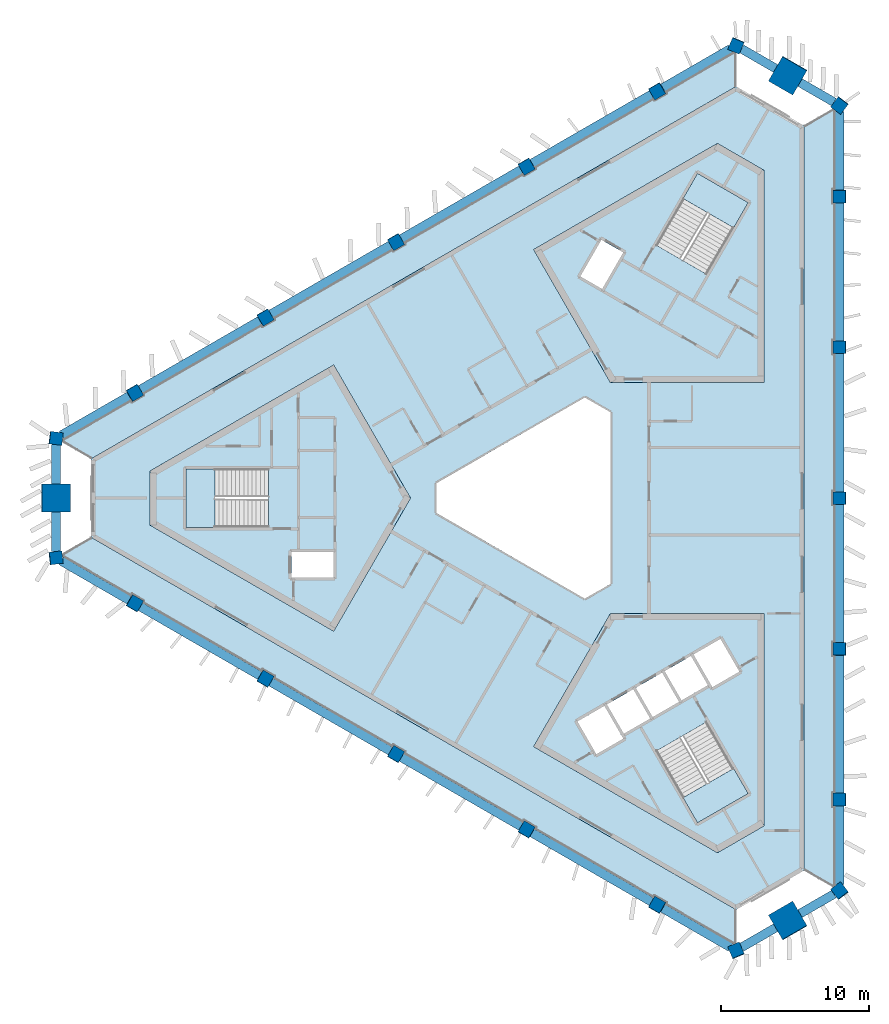
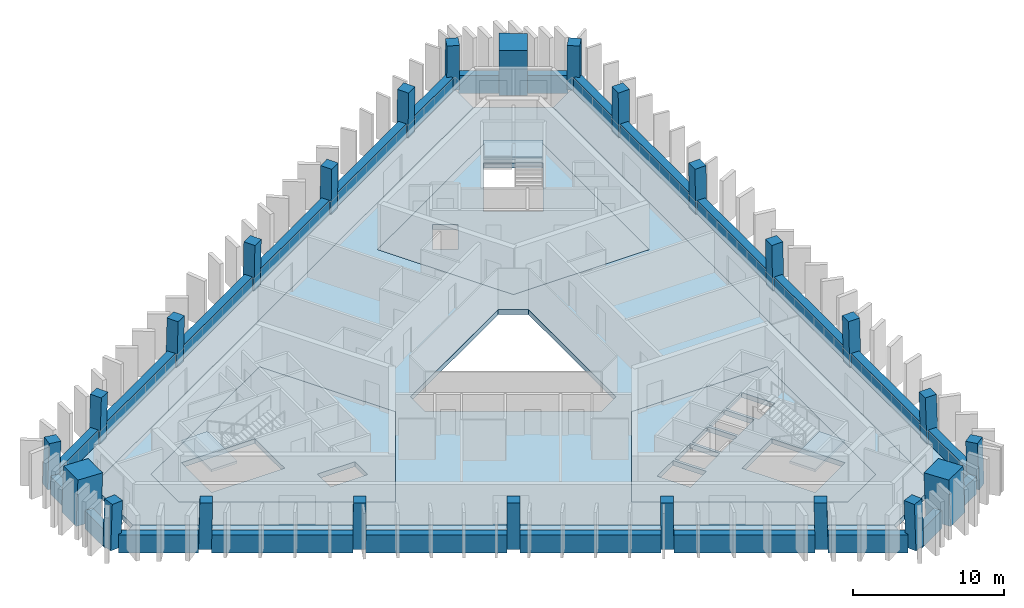
# One storey, part 1 of 9: 24 beams, 24 columns, 10 slabs, 3 elements without a shape of their own.
"""IFC4 building model written with IfcOpenShell, lengths in metres."""

from ifc_helpers import new_model, si_unit, direction, frame, origin, origin_2d, place, context, subcontext, project, spatial, polyline, rectangle, outline, extrude, material, layer, layer_set, material_profile, profile_set, type_object, element, aggregate, save


model = new_model("IFC4")

# Units and contexts
model_context = context("Model", 3, precision=1e-05, world=origin(), true_north=direction((0.0, 1.0)))
body_context = subcontext(model_context, "Body", "Model", "MODEL_VIEW")
ifc_project = project(units=[si_unit("LENGTHUNIT", "METRE"), si_unit("AREAUNIT", "SQUARE_METRE"), si_unit("VOLUMEUNIT", "CUBIC_METRE"), si_unit("PLANEANGLEUNIT", "RADIAN"), si_unit("MASSUNIT", "GRAM", prefix="KILO")], contexts=[model_context])

# Site, building, storey
site_placement = place(None, origin())
site = spatial("IfcSite", under=ifc_project, at=site_placement, CompositionType="ELEMENT")
building_placement = place(site_placement, origin())
building = spatial("IfcBuilding", under=site, at=building_placement, Name="Jabali Bay Hotel Tower and Convention Centre", CompositionType="ELEMENT")
storey_placement = place(building_placement, frame((0.0, 0.0, 231.699951171875)))
storey = spatial("IfcBuildingStorey", under=building, at=storey_placement, Name="L57", CompositionType="ELEMENT", Elevation=231.699951171875)

# Columns
ifc_material_1 = material(Name="Concrete C60", Category="concrete")
ifc_material_profile_1 = material_profile(ifc_material_1, rectangle(XDim=0.85009765625, YDim=0.85009765625, at=origin_2d()), Name="Frame column 850")
ifc_profile_set_1 = profile_set([ifc_material_profile_1], Name="Concrete C60")
column_type_1 = type_object("IfcColumnType", Name="Frame column 850", PredefinedType="COLUMN", material=ifc_profile_set_1)
column_1_placement = place(storey_placement, frame((82.658935546875, 107.490234375, 0.0), z_axis=(-0.00837646992, -0.028097450282, 0.999570091609), x_axis=(0.866174253108, 0.499288249334, 0.021293363534)))
element("IfcColumn", 1, at=column_1_placement, inside=storey, type_object=column_type_1, Name="FC5 F1.1 L57", PredefinedType="COLUMN", context=body_context, shape_type="SweptSolid", body=[
    extrude(rectangle(XDim=0.85009765625, YDim=0.85009765625, at=origin_2d()), origin(), (0.0, 0.0, 1.0), 3.70166015625),
])
column_2_placement = place(storey_placement, frame((73.8349609375, 102.395751953125, 0.0), z_axis=(0.000857580205, -0.022758859284, 0.9997406158), x_axis=(0.866005604684, 0.499921125252, 0.010637724537)))
element("IfcColumn", 2, at=column_2_placement, inside=storey, type_object=column_type_1, Name="FC5 F1.2 L57", PredefinedType="COLUMN", context=body_context, shape_type="SweptSolid", body=[
    extrude(rectangle(XDim=0.85009765625, YDim=0.85009765625, at=origin_2d()), origin(), (0.0, 0.0, 1.0), 3.700927734375),
])
column_3_placement = place(storey_placement, frame((65.010986328125, 97.30126953125, 0.0), z_axis=(0.010093620709, -0.017482414954, 0.999796221231), x_axis=(0.86601685016, 0.500014815019, 2.20911e-07)))
element("IfcColumn", 3, at=column_3_placement, inside=storey, type_object=column_type_1, Name="FC5 F1.3 L57", PredefinedType="COLUMN", context=body_context, shape_type="SweptSolid", body=[
    extrude(rectangle(XDim=0.85009765625, YDim=0.85009765625, at=origin_2d()), origin(), (0.0, 0.0, 1.0), 3.70068359375),
])
column_4_placement = place(storey_placement, frame((56.187255859375, 92.206787109375, 0.0), z_axis=(0.019262573858, -0.012138060239, 0.999740776773), x_axis=(-0.498875311913, 0.866439920689, 0.020131741108)))
element("IfcColumn", 4, at=column_4_placement, inside=storey, type_object=column_type_1, Name="FC5 F1.4 L57", PredefinedType="COLUMN", context=body_context, shape_type="SweptSolid", body=[
    extrude(rectangle(XDim=0.85009765625, YDim=0.85009765625, at=origin_2d()), origin(), (0.0, 0.0, 1.0), 3.700927734375),
])
for number, where, z_axis, x_axis, name in (
    (5, (47.36328125, 87.1123046875, 0.0), (0.02855911485, -0.006793507689, 0.999569019734), (-0.50039805324, 0.86556025987, 0.020179812855), "FC5 F1.5 L57"),
    (6, (47.36328125, 72.8876953125, 0.0), (0.02855911485, 0.006793507689, 0.999569019734), (-0.865324312193, 0.500758709147, 0.021320176848), "FC5 F2.1 L57"),
):
    element("IfcColumn", number, at=place(storey_placement, frame(where, z_axis=z_axis, x_axis=x_axis)), inside=storey, type_object=column_type_1, Name=name, PredefinedType="COLUMN", context=body_context, shape_type="SweptSolid", body=[
        extrude(rectangle(XDim=0.85009765625, YDim=0.85009765625, at=origin_2d()), origin(), (0.0, 0.0, 1.0), 3.70166015625),
    ])
column_5_placement = place(storey_placement, frame((56.187255859375, 67.793212890625, 0.0), z_axis=(0.019262573858, 0.012138060239, 0.999740776773), x_axis=(-0.866459679623, 0.499133780995, 0.010634484378)))
element("IfcColumn", 7, at=column_5_placement, inside=storey, type_object=column_type_1, Name="FC5 F2.2 L57", PredefinedType="COLUMN", context=body_context, shape_type="SweptSolid", body=[
    extrude(rectangle(XDim=0.85009765625, YDim=0.85009765625, at=origin_2d()), origin(), (0.0, 0.0, 1.0), 3.700927734375),
])
column_6_placement = place(storey_placement, frame((65.010986328125, 62.69873046875, 0.0), z_axis=(0.010093620709, 0.017482414954, 0.999796221231), x_axis=(-0.499912926478, -0.865840372083, 0.020187025823)))
element("IfcColumn", 8, at=column_6_placement, inside=storey, type_object=column_type_1, Name="FC5 F2.3 L57", PredefinedType="COLUMN", context=body_context, shape_type="SweptSolid", body=[
    extrude(rectangle(XDim=0.85009765625, YDim=0.85009765625, at=origin_2d()), origin(), (0.0, 0.0, 1.0), 3.70068359375),
])
column_7_placement = place(storey_placement, frame((73.8349609375, 57.604248046875, 0.0), z_axis=(0.000857580205, 0.022758859284, 0.9997406158), x_axis=(-0.500033556087, -0.865771853811, 0.020138022157)))
element("IfcColumn", 9, at=column_7_placement, inside=storey, type_object=column_type_1, Name="FC5 F2.4 L57", PredefinedType="COLUMN", context=body_context, shape_type="SweptSolid", body=[
    extrude(rectangle(XDim=0.85009765625, YDim=0.85009765625, at=origin_2d()), origin(), (0.0, 0.0, 1.0), 3.700927734375),
])
for number, where, z_axis, x_axis, name in (
    (10, (82.658935546875, 52.509765625, 0.0), (-0.00837646992, 0.028097450282, 0.999570091609), (-0.499671890349, -0.865980240747, 0.02015501501), "FC5 F2.5 L57"),
    (11, (94.977783203125, 59.6220703125, 0.0), (-0.020182659751, 0.021303918626, 0.999569308901), (0.000228267203, -0.99977282903, 0.021312865295), "FC5 F0.1 L57"),
):
    element("IfcColumn", number, at=place(storey_placement, frame(where, z_axis=z_axis, x_axis=x_axis)), inside=storey, type_object=column_type_1, Name=name, PredefinedType="COLUMN", context=body_context, shape_type="SweptSolid", body=[
        extrude(rectangle(XDim=0.85009765625, YDim=0.85009765625, at=origin_2d()), origin(), (0.0, 0.0, 1.0), 3.70166015625),
    ])
column_8_placement = place(storey_placement, frame((94.977783203125, 69.81103515625, 0.0), z_axis=(-0.020186088539, 0.010686752756, 0.999739123544), x_axis=(-0.001012906877, -0.999942577175, 0.010668475618)))
element("IfcColumn", 12, at=column_8_placement, inside=storey, type_object=column_type_1, Name="FC5 F0.2 L57", PredefinedType="COLUMN", context=body_context, shape_type="SweptSolid", body=[
    extrude(rectangle(XDim=0.85009765625, YDim=0.85009765625, at=origin_2d()), origin(), (0.0, 0.0, 1.0), 3.700927734375),
])
column_9_placement = place(storey_placement, frame((94.977783203125, 80.0, 0.0), z_axis=(-0.020187241331, 0.0, 0.99979621688), x_axis=(0.0, -1.0, 0.0)))
element("IfcColumn", 13, at=column_9_placement, inside=storey, type_object=column_type_1, Name="FC5 F0.3 L57", PredefinedType="COLUMN", context=body_context, shape_type="SweptSolid", body=[
    extrude(rectangle(XDim=0.85009765625, YDim=0.85009765625, at=origin_2d()), origin(), (0.0, 0.0, 1.0), 3.70068359375),
])
column_10_placement = place(storey_placement, frame((94.977783203125, 90.18896484375, 0.0), z_axis=(-0.020186088539, -0.010686752756, 0.999739123544), x_axis=(0.999795727061, 0.00079728784, 0.020195754082)))
element("IfcColumn", 14, at=column_10_placement, inside=storey, type_object=column_type_1, Name="FC5 F0.4 L57", PredefinedType="COLUMN", context=body_context, shape_type="SweptSolid", body=[
    extrude(rectangle(XDim=0.85009765625, YDim=0.85009765625, at=origin_2d()), origin(), (0.0, 0.0, 1.0), 3.700927734375),
])
column_11_placement = place(storey_placement, frame((94.977783203125, 100.3779296875, 0.0), z_axis=(-0.020182659751, -0.021303918626, 0.999569308901), x_axis=(0.999796283319, -0.000658319199, 0.020173211851)))
element("IfcColumn", 15, at=column_11_placement, inside=storey, type_object=column_type_1, Name="FC5 F0.5 L57", PredefinedType="COLUMN", context=body_context, shape_type="SweptSolid", body=[
    extrude(rectangle(XDim=0.85009765625, YDim=0.85009765625, at=origin_2d()), origin(), (0.0, 0.0, 1.0), 3.70166015625),
])
for number, where, z_axis, x_axis, name in (
    (16, (94.977783203125, 53.46875, 0.0), (-0.020178741915, 0.029015184452, 0.999375273581), (-0.798955782789, -0.601388304482, 0.001328299864), "FC5 V0 L57"),
    (17, (94.977783203125, 106.53125, 0.0), (-0.020178741915, -0.029015184452, 0.999375273581), (0.601051142186, 0.798429850584, 0.035317108794), "FC5 V1 L57"),
    (18, (87.98779296875, 110.56689453125, 0.0), (-0.015035141917, -0.031982648376, 0.99937533225), (0.920325100709, -0.391152074651, 0.001327968773), "FC5 V2 L57"),
    (19, (42.034423828125, 84.03564453125, 0.0), (0.03521388716, -0.002967462401, 0.999375393092), (-0.991986347895, 0.121309627648, 0.03531373428), "FC5 V3 L57"),
    (20, (42.034423828125, 75.96435546875, 0.0), (0.03521388716, 0.002967462401, 0.999375393092), (-0.121338648996, 0.992610280224, 0.00132810135), "FC5 V4 L57"),
    (21, (87.98779296875, 49.43310546875, 0.0), (-0.015035141917, 0.031982648376, 0.99937533225), (0.390865262607, -0.919770169498, 0.035315461041), "FC5 V5 L57"),
):
    element("IfcColumn", number, at=place(storey_placement, frame(where, z_axis=z_axis, x_axis=x_axis)), inside=storey, type_object=column_type_1, Name=name, PredefinedType="COLUMN", context=body_context, shape_type="SweptSolid", body=[
        extrude(rectangle(XDim=0.85009765625, YDim=0.85009765625, at=origin_2d()), origin(), (0.0, 0.0, 1.0), 3.7021484375),
    ])
ifc_material_2 = material(Name="Concrete C70", Category="concrete")
ifc_material_profile_2 = material_profile(ifc_material_2, rectangle(XDim=1.89990234375, YDim=1.89990234375, at=origin_2d()), Name="Mega column 1900")
ifc_profile_set_2 = profile_set([ifc_material_profile_2], Name="Concrete C70")
column_type_2 = type_object("IfcColumnType", Name="Mega column 1900", PredefinedType="COLUMN", material=ifc_profile_set_2)
for number, where, z_axis, x_axis, name in (
    (22, (91.48291015625, 108.549072265625, 0.0), (-0.017607037296, -0.030466109479, 0.999380712447), (0.500067085975, 0.865271470658, 0.035187946645), "MC5 M1 L57"),
    (23, (42.034423828125, 80.0, 0.0), (0.035214042205, 0.0, 0.999379793288), (0.0, 1.0, 0.0), "MC5 M0 L57"),
    (24, (91.48291015625, 51.450927734375, 0.0), (-0.017607037296, 0.030466109479, 0.999380712447), (-0.865807658641, -0.500376956142, 2.31533e-07), "MC5 M2 L57"),
):
    element("IfcColumn", number, at=place(storey_placement, frame(where, z_axis=z_axis, x_axis=x_axis)), inside=storey, type_object=column_type_2, Name=name, PredefinedType="COLUMN", context=body_context, shape_type="SweptSolid", body=[
        extrude(rectangle(XDim=1.89990234375, YDim=1.89990234375, at=origin_2d()), origin(), (0.0, 0.0, 1.0), 3.7021484375),
    ])

# Beams
ifc_material_profile_3 = material_profile(ifc_material_1, rectangle(XDim=0.60009765625, YDim=1.449951171875, at=origin_2d()), Name="Spandrel 600x1450")
ifc_profile_set_3 = profile_set([ifc_material_profile_3], Name="Concrete C60")
beam_type = type_object("IfcBeamType", Name="Spandrel 600x1450", PredefinedType="SPANDREL", material=ifc_profile_set_3)
beam_1_placement = place(storey_placement, frame((90.653564453125, 109.0126953125, 0.375), z_axis=(-0.866037319036, 0.49997936161, 0.0), x_axis=(-0.49997936161, -0.866037319036, 0.0)))
element("IfcBeam", 25, at=beam_1_placement, inside=storey, type_object=beam_type, Name="Spandrel M1-V2 L57", PredefinedType="SPANDREL", context=body_context, shape_type="SweptSolid", body=[
    extrude(rectangle(XDim=0.60009765625, YDim=1.449951171875, at=origin_2d()), origin(), (0.0, 0.0, 1.0), 2.65966796875),
])
beam_2_placement = place(storey_placement, frame((87.614013671875, 110.342529296875, 0.375), z_axis=(-0.866020664882, -0.50000820793, 0.0), x_axis=(0.50000820793, -0.866020664882, 0.0)))
element("IfcBeam", 26, at=beam_2_placement, inside=storey, type_object=beam_type, Name="Spandrel V2-F1.1 L57", PredefinedType="SPANDREL", context=body_context, shape_type="SweptSolid", body=[
    extrude(rectangle(XDim=0.60009765625, YDim=1.449951171875, at=origin_2d()), origin(), (0.0, 0.0, 1.0), 5.30029296875),
])
beam_3_placement = place(storey_placement, frame((82.28759765625, 107.267333984375, 0.375), z_axis=(-0.866023132736, -0.50000393355, 0.0), x_axis=(0.50000393355, -0.866023132736, 0.0)))
element("IfcBeam", 27, at=beam_3_placement, inside=storey, type_object=beam_type, Name="Spandrel F1.1-F1.2 L57", PredefinedType="SPANDREL", context=body_context, shape_type="SweptSolid", body=[
    extrude(rectangle(XDim=0.60009765625, YDim=1.449951171875, at=origin_2d()), origin(), (0.0, 0.0, 1.0), 9.3349609375),
])
beam_4_placement = place(storey_placement, frame((73.46728515625, 102.1748046875, 0.375), z_axis=(-0.866029671009, -0.499992608877, 0.0), x_axis=(0.499992608877, -0.866029671009, 0.0)))
element("IfcBeam", 28, at=beam_4_placement, inside=storey, type_object=beam_type, Name="Spandrel F1.2-F1.3 L57", PredefinedType="SPANDREL", context=body_context, shape_type="SweptSolid", body=[
    extrude(rectangle(XDim=0.60009765625, YDim=1.449951171875, at=origin_2d()), origin(), (0.0, 0.0, 1.0), 9.335205078125),
])
beam_5_placement = place(storey_placement, frame((64.646728515625, 97.082275390625, 0.375), z_axis=(-0.866023132736, -0.50000393355, 0.0), x_axis=(0.50000393355, -0.866023132736, 0.0)))
element("IfcBeam", 29, at=beam_5_placement, inside=storey, type_object=beam_type, Name="Spandrel F1.3-F1.4 L57", PredefinedType="SPANDREL", context=body_context, shape_type="SweptSolid", body=[
    extrude(rectangle(XDim=0.60009765625, YDim=1.449951171875, at=origin_2d()), origin(), (0.0, 0.0, 1.0), 9.3349609375),
])
beam_6_placement = place(storey_placement, frame((55.826416015625, 91.98974609375, 0.375), z_axis=(-0.866029671009, -0.499992608877, 0.0), x_axis=(0.499992608877, -0.866029671009, 0.0)))
element("IfcBeam", 30, at=beam_6_placement, inside=storey, type_object=beam_type, Name="Spandrel F1.4-F1.5 L57", PredefinedType="SPANDREL", context=body_context, shape_type="SweptSolid", body=[
    extrude(rectangle(XDim=0.60009765625, YDim=1.449951171875, at=origin_2d()), origin(), (0.0, 0.0, 1.0), 9.335205078125),
])
beam_7_placement = place(storey_placement, frame((47.005859375, 86.897216796875, 0.375), z_axis=(-0.866032180191, -0.499988262736, 0.0), x_axis=(0.499988262736, -0.866032180191, 0.0)))
element("IfcBeam", 31, at=beam_7_placement, inside=storey, type_object=beam_type, Name="Spandrel F1.5-V3 L57", PredefinedType="SPANDREL", context=body_context, shape_type="SweptSolid", body=[
    extrude(rectangle(XDim=0.60009765625, YDim=1.449951171875, at=origin_2d()), origin(), (0.0, 0.0, 1.0), 5.300537109375),
])
for number, where, z_axis, x_axis, name in (
    (32, (42.047607421875, 83.609619140625, 0.375), (0.0, -1.0, 0.0), (1.0, 0.0, 0.0), "Spandrel V3-M0 L57"),
    (33, (42.047607421875, 79.050048828125, 0.375), (0.0, -1.0, 0.0), (1.0, 0.0, 0.0), "Spandrel M0-V4 L57"),
):
    element("IfcBeam", number, at=place(storey_placement, frame(where, z_axis=z_axis, x_axis=x_axis)), inside=storey, type_object=beam_type, Name=name, PredefinedType="SPANDREL", context=body_context, shape_type="SweptSolid", body=[
        extrude(rectangle(XDim=0.60009765625, YDim=1.449951171875, at=origin_2d()), origin(), (0.0, 0.0, 1.0), 2.65966796875),
    ])
beam_8_placement = place(storey_placement, frame((42.41552734375, 75.7529296875, 0.375), z_axis=(0.866032180191, -0.499988262736, 0.0), x_axis=(0.499988262736, 0.866032180191, 0.0)))
element("IfcBeam", 34, at=beam_8_placement, inside=storey, type_object=beam_type, Name="Spandrel V4-F2.1 L57", PredefinedType="SPANDREL", context=body_context, shape_type="SweptSolid", body=[
    extrude(rectangle(XDim=0.60009765625, YDim=1.449951171875, at=origin_2d()), origin(), (0.0, 0.0, 1.0), 5.300537109375),
])
beam_9_placement = place(storey_placement, frame((47.741943359375, 72.677734375, 0.375), z_axis=(0.866029671009, -0.499992608877, 0.0), x_axis=(0.499992608877, 0.866029671009, 0.0)))
element("IfcBeam", 35, at=beam_9_placement, inside=storey, type_object=beam_type, Name="Spandrel F2.1-F2.2 L57", PredefinedType="SPANDREL", context=body_context, shape_type="SweptSolid", body=[
    extrude(rectangle(XDim=0.60009765625, YDim=1.449951171875, at=origin_2d()), origin(), (0.0, 0.0, 1.0), 9.335205078125),
])
beam_10_placement = place(storey_placement, frame((56.5625, 67.585205078125, 0.375), z_axis=(0.866023132736, -0.50000393355, 0.0), x_axis=(0.50000393355, 0.866023132736, 0.0)))
element("IfcBeam", 36, at=beam_10_placement, inside=storey, type_object=beam_type, Name="Spandrel F2.2-F2.3 L57", PredefinedType="SPANDREL", context=body_context, shape_type="SweptSolid", body=[
    extrude(rectangle(XDim=0.60009765625, YDim=1.449951171875, at=origin_2d()), origin(), (0.0, 0.0, 1.0), 9.3349609375),
])
beam_11_placement = place(storey_placement, frame((65.3828125, 62.49267578125, 0.375), z_axis=(0.866029671009, -0.499992608877, 0.0), x_axis=(0.499992608877, 0.866029671009, 0.0)))
element("IfcBeam", 37, at=beam_11_placement, inside=storey, type_object=beam_type, Name="Spandrel F2.3-F2.4 L57", PredefinedType="SPANDREL", context=body_context, shape_type="SweptSolid", body=[
    extrude(rectangle(XDim=0.60009765625, YDim=1.449951171875, at=origin_2d()), origin(), (0.0, 0.0, 1.0), 9.335205078125),
])
beam_12_placement = place(storey_placement, frame((74.203369140625, 57.400146484375, 0.375), z_axis=(0.866023132736, -0.50000393355, 0.0), x_axis=(0.50000393355, 0.866023132736, 0.0)))
element("IfcBeam", 38, at=beam_12_placement, inside=storey, type_object=beam_type, Name="Spandrel F2.4-F2.5 L57", PredefinedType="SPANDREL", context=body_context, shape_type="SweptSolid", body=[
    extrude(rectangle(XDim=0.60009765625, YDim=1.449951171875, at=origin_2d()), origin(), (0.0, 0.0, 1.0), 9.3349609375),
])
beam_13_placement = place(storey_placement, frame((83.02392578125, 52.3076171875, 0.375), z_axis=(0.866020664882, -0.50000820793, 0.0), x_axis=(0.50000820793, 0.866020664882, 0.0)))
element("IfcBeam", 39, at=beam_13_placement, inside=storey, type_object=beam_type, Name="Spandrel F2.5-V5 L57", PredefinedType="SPANDREL", context=body_context, shape_type="SweptSolid", body=[
    extrude(rectangle(XDim=0.60009765625, YDim=1.449951171875, at=origin_2d()), origin(), (0.0, 0.0, 1.0), 5.30029296875),
])
for number, where, z_axis, x_axis, name in (
    (40, (88.35009765625, 49.657470703125, 0.375), (0.866037319036, 0.49997936161, 0.0), (-0.49997936161, 0.866037319036, 0.0), "Spandrel V5-M2 L57"),
    (41, (92.298828125, 51.937255859375, 0.375), (0.866037319036, 0.49997936161, 0.0), (-0.49997936161, 0.866037319036, 0.0), "Spandrel M2-V0 L57"),
):
    element("IfcBeam", number, at=place(storey_placement, frame(where, z_axis=z_axis, x_axis=x_axis)), inside=storey, type_object=beam_type, Name=name, PredefinedType="SPANDREL", context=body_context, shape_type="SweptSolid", body=[
        extrude(rectangle(XDim=0.60009765625, YDim=1.449951171875, at=origin_2d()), origin(), (0.0, 0.0, 1.0), 2.65966796875),
    ])
beam_14_placement = place(storey_placement, frame((94.97021484375, 53.90478515625, 0.375), z_axis=(0.0, 1.0, 0.0), x_axis=(-1.0, 0.0, 0.0)))
element("IfcBeam", 42, at=beam_14_placement, inside=storey, type_object=beam_type, Name="Spandrel V0-F0.1 L57", PredefinedType="SPANDREL", context=body_context, shape_type="SweptSolid", body=[
    extrude(rectangle(XDim=0.60009765625, YDim=1.449951171875, at=origin_2d()), origin(), (0.0, 0.0, 1.0), 5.30029296875),
])
for number, where, z_axis, x_axis, name in (
    (43, (94.97021484375, 60.054931640625, 0.375), (0.0, 1.0, 0.0), (-1.0, 0.0, 0.0), "Spandrel F0.1-F0.2 L57"),
    (44, (94.97021484375, 70.239990234375, 0.375), (0.0, 1.0, 0.0), (-1.0, 0.0, 0.0), "Spandrel F0.2-F0.3 L57"),
    (45, (94.97021484375, 80.425048828125, 0.375), (0.0, 1.0, 0.0), (-1.0, 0.0, 0.0), "Spandrel F0.3-F0.4 L57"),
    (46, (94.97021484375, 90.610107421875, 0.375), (0.0, 1.0, 0.0), (-1.0, 0.0, 0.0), "Spandrel F0.4-F0.5 L57"),
):
    element("IfcBeam", number, at=place(storey_placement, frame(where, z_axis=z_axis, x_axis=x_axis)), inside=storey, type_object=beam_type, Name=name, PredefinedType="SPANDREL", context=body_context, shape_type="SweptSolid", body=[
        extrude(rectangle(XDim=0.60009765625, YDim=1.449951171875, at=origin_2d()), origin(), (0.0, 0.0, 1.0), 9.3349609375),
    ])
beam_15_placement = place(storey_placement, frame((94.97021484375, 100.794921875, 0.375), z_axis=(0.0, 1.0, 0.0), x_axis=(-1.0, 0.0, 0.0)))
element("IfcBeam", 47, at=beam_15_placement, inside=storey, type_object=beam_type, Name="Spandrel F0.5-V1 L57", PredefinedType="SPANDREL", context=body_context, shape_type="SweptSolid", body=[
    extrude(rectangle(XDim=0.60009765625, YDim=1.449951171875, at=origin_2d()), origin(), (0.0, 0.0, 1.0), 5.30029296875),
])
beam_16_placement = place(storey_placement, frame((94.602294921875, 106.73291015625, 0.375), z_axis=(-0.866037319036, 0.49997936161, 0.0), x_axis=(-0.49997936161, -0.866037319036, 0.0)))
element("IfcBeam", 48, at=beam_16_placement, inside=storey, type_object=beam_type, Name="Spandrel V1-M1 L57", PredefinedType="SPANDREL", context=body_context, shape_type="SweptSolid", body=[
    extrude(rectangle(XDim=0.60009765625, YDim=1.449951171875, at=origin_2d()), origin(), (0.0, 0.0, 1.0), 2.65966796875),
])

# Slabs
ifc_material_3 = material(Name="Concrete C40", Category="concrete")
ifc_layer_1 = layer(ifc_material_3, 0.39990234375)
ifc_layer_set_1 = layer_set([ifc_layer_1], Name="Concrete C40")
slab_type_1 = type_object("IfcSlabType", Name="Core floor slab 400", PredefinedType="FLOOR", material=ifc_layer_set_1)
slab_1_placement = place(storey_placement, frame((0.0, 0.0, -0.39990234375)))
element("IfcSlab", 49, at=slab_1_placement, inside=storey, type_object=slab_type_1, Name="Core floor slab 1 L57", PredefinedType="FLOOR", context=body_context, shape_type="SweptSolid", body=[
    extrude(outline(polyline([(66.0, 80.0), (60.81005859375, 88.9892578125), (48.39697265625, 81.82275390625), (48.39697265625, 78.17724609375), (60.81005859375, 71.0107421875), (66.0, 80.0)]), holes=[polyline([(60.800048828125, 76.35009765625), (57.949951171875, 76.35009765625), (57.949951171875, 74.64990234375), (60.800048828125, 74.64990234375), (60.800048828125, 76.35009765625)]), polyline([(50.820068359375, 81.97509765625), (50.820068359375, 78.02490234375), (56.409912109375, 78.02490234375), (56.409912109375, 81.97509765625), (50.820068359375, 81.97509765625)])]), origin(), (0.0, 0.0, 1.0), 0.39990234375),
])
slab_2_placement = place(storey_placement, frame((0.0, 0.0, -0.39990234375)))
element("IfcSlab", 50, at=slab_2_placement, inside=storey, type_object=slab_type_1, Name="Core floor slab 2 L57", PredefinedType="FLOOR", context=body_context, shape_type="SweptSolid", body=[
    extrude(outline(polyline([(79.5, 87.794189453125), (89.8798828125, 87.794189453125), (89.8798828125, 102.127685546875), (86.72314453125, 103.9501953125), (74.31005859375, 96.78369140625), (79.5, 87.794189453125)]), holes=[polyline([(78.93896484375, 94.12255859375), (80.364013671875, 96.5908203125), (78.891845703125, 97.440673828125), (77.466796875, 94.97265625), (78.93896484375, 94.12255859375)]), polyline([(88.80029296875, 99.952880859375), (85.379638671875, 101.927978515625), (82.584716796875, 97.0869140625), (86.00537109375, 95.11181640625), (88.80029296875, 99.952880859375)])]), origin(), (0.0, 0.0, 1.0), 0.39990234375),
])
slab_3_placement = place(storey_placement, frame((0.0, 0.0, -0.39990234375)))
element("IfcSlab", 51, at=slab_3_placement, inside=storey, type_object=slab_type_1, Name="Core floor slab 3 L57", PredefinedType="FLOOR", context=body_context, shape_type="SweptSolid", body=[
    extrude(outline(polyline([(79.5, 72.205810546875), (74.31005859375, 63.21630859375), (86.72314453125, 56.0498046875), (89.8798828125, 57.872314453125), (89.8798828125, 72.205810546875), (79.5, 72.205810546875)]), holes=[polyline([(82.584716796875, 62.9130859375), (85.379638671875, 58.072021484375), (88.80029296875, 60.047119140625), (86.00537109375, 64.88818359375), (82.584716796875, 62.9130859375)]), polyline([(80.365478515625, 63.756591796875), (79.090576171875, 65.96484375), (77.27197265625, 64.9150390625), (78.546875, 62.70654296875), (80.365478515625, 63.756591796875)]), polyline([(82.17919921875, 65.115478515625), (81.0390625, 67.08984375), (79.263671875, 66.06494140625), (80.40380859375, 64.09033203125), (82.17919921875, 65.115478515625)]), polyline([(82.98779296875, 68.21484375), (81.21240234375, 67.18994140625), (82.352294921875, 65.21533203125), (84.127685546875, 66.240478515625), (82.98779296875, 68.21484375)]), polyline([(86.076171875, 67.365478515625), (84.936279296875, 69.33984375), (83.160888671875, 68.31494140625), (84.30078125, 66.34033203125), (86.076171875, 67.365478515625)]), polyline([(88.203125, 68.281494140625), (86.927978515625, 70.489990234375), (85.109375, 69.43994140625), (86.384521484375, 67.231689453125), (88.203125, 68.281494140625)])]), origin(), (0.0, 0.0, 1.0), 0.39990234375),
])
ifc_layer_2 = layer(ifc_material_3, 0.199951171875)
ifc_layer_set_2 = layer_set([ifc_layer_2], Name="Concrete C40")
slab_type_2 = type_object("IfcSlabType", Name="Loggia slab 200", PredefinedType="FLOOR", material=ifc_layer_set_2)
slab_4_placement = place(storey_placement, frame((0.0, 0.0, -0.199951171875)))
element("IfcSlab", 52, at=slab_4_placement, inside=storey, type_object=slab_type_2, Name="Loggia slab east face L57", PredefinedType="FLOOR", context=body_context, shape_type="SweptSolid", body=[
    extrude(outline(polyline([(92.577880859375, 105.1455078125), (94.577880859375, 106.30029296875), (94.677978515625, 106.22509765625), (94.677978515625, 100.802978515625), (94.552978515625, 100.802978515625), (94.552978515625, 99.952880859375), (94.677978515625, 99.952880859375), (94.677978515625, 90.614013671875), (94.552978515625, 90.614013671875), (94.552978515625, 89.763916015625), (94.677978515625, 89.763916015625), (94.677978515625, 80.425048828125), (94.552978515625, 80.425048828125), (94.552978515625, 79.574951171875), (94.677978515625, 79.574951171875), (94.677978515625, 70.236083984375), (94.552978515625, 70.236083984375), (94.552978515625, 69.385986328125), (94.677978515625, 69.385986328125), (94.677978515625, 60.047119140625), (94.552978515625, 60.047119140625), (94.552978515625, 59.197021484375), (94.677978515625, 59.197021484375), (94.677978515625, 53.77490234375), (94.577880859375, 53.69970703125), (92.577880859375, 54.8544921875), (92.577880859375, 105.1455078125)])), origin(), (0.0, 0.0, 1.0), 0.199951171875),
])
slab_5_placement = place(storey_placement, frame((0.0, 0.0, -0.199951171875)))
element("IfcSlab", 53, at=slab_5_placement, inside=storey, type_object=slab_type_2, Name="Loggia slab north-west face L57", PredefinedType="FLOOR", context=body_context, shape_type="SweptSolid", body=[
    extrude(outline(polyline([(44.434326171875, 82.650146484375), (42.434326171875, 83.804931640625), (42.449462890625, 83.928955078125), (47.145263671875, 86.64013671875), (47.207763671875, 86.53173828125), (47.94384765625, 86.956787109375), (47.88134765625, 87.065185546875), (55.968994140625, 91.734619140625), (56.031494140625, 91.626220703125), (56.767578125, 92.05126953125), (56.705078125, 92.15966796875), (64.79296875, 96.8291015625), (64.85546875, 96.720703125), (65.591552734375, 97.145751953125), (65.529052734375, 97.254150390625), (73.616943359375, 101.923583984375), (73.679443359375, 101.815185546875), (74.41552734375, 102.240234375), (74.35302734375, 102.3486328125), (82.44091796875, 107.01806640625), (82.50341796875, 106.90966796875), (83.239501953125, 107.334716796875), (83.177001953125, 107.443115234375), (87.87255859375, 110.154052734375), (87.98779296875, 110.105224609375), (87.98779296875, 107.795654296875), (44.434326171875, 82.650146484375)])), origin(), (0.0, 0.0, 1.0), 0.199951171875),
])
slab_6_placement = place(storey_placement, frame((0.0, 0.0, -0.199951171875)))
element("IfcSlab", 54, at=slab_6_placement, inside=storey, type_object=slab_type_2, Name="Loggia slab south-west face L57", PredefinedType="FLOOR", context=body_context, shape_type="SweptSolid", body=[
    extrude(outline(polyline([(87.98779296875, 52.204345703125), (87.98779296875, 49.894775390625), (87.87255859375, 49.845947265625), (83.177001953125, 52.556884765625), (83.239501953125, 52.665283203125), (82.50341796875, 53.09033203125), (82.44091796875, 52.98193359375), (74.35302734375, 57.6513671875), (74.41552734375, 57.759765625), (73.679443359375, 58.184814453125), (73.616943359375, 58.076416015625), (65.529052734375, 62.745849609375), (65.591552734375, 62.854248046875), (64.85546875, 63.279296875), (64.79296875, 63.1708984375), (56.705078125, 67.84033203125), (56.767578125, 67.94873046875), (56.031494140625, 68.373779296875), (55.968994140625, 68.265380859375), (47.88134765625, 72.934814453125), (47.94384765625, 73.043212890625), (47.207763671875, 73.46826171875), (47.145263671875, 73.35986328125), (42.449462890625, 76.071044921875), (42.434326171875, 76.195068359375), (44.434326171875, 77.349853515625), (87.98779296875, 52.204345703125)])), origin(), (0.0, 0.0, 1.0), 0.199951171875),
])
ifc_layer_3 = layer(ifc_material_3, 0.39990234375)
ifc_layer_set_3 = layer_set([ifc_layer_3], Name="Concrete C40")
slab_type_3 = type_object("IfcSlabType", Name="Post-tensioned flat slab 400", PredefinedType="FLOOR", material=ifc_layer_set_3)
slab_7_placement = place(storey_placement, frame((0.0, 0.0, -0.39990234375)))
element("IfcSlab", 55, at=slab_7_placement, inside=storey, type_object=slab_type_3, Name="Floor slab L57", PredefinedType="FLOOR", context=body_context, shape_type="SweptSolid", body=[
    extrude(outline(polyline([(87.98779296875, 107.795654296875), (92.577880859375, 105.1455078125), (92.577880859375, 54.8544921875), (87.98779296875, 52.204345703125), (44.434326171875, 77.349853515625), (44.434326171875, 82.650146484375), (87.98779296875, 107.795654296875)]), holes=[polyline([(67.73193359375, 79.0), (77.76806640625, 73.205810546875), (79.5, 74.205810546875), (79.5, 85.794189453125), (77.76806640625, 86.794189453125), (67.73193359375, 81.0), (67.73193359375, 79.0)]), polyline([(48.39697265625, 78.17724609375), (60.81005859375, 71.0107421875), (66.0, 80.0), (60.81005859375, 88.9892578125), (48.39697265625, 81.82275390625), (48.39697265625, 78.17724609375)]), polyline([(89.8798828125, 102.127685546875), (86.72314453125, 103.9501953125), (74.31005859375, 96.78369140625), (79.5, 87.794189453125), (89.8798828125, 87.794189453125), (89.8798828125, 102.127685546875)]), polyline([(74.31005859375, 63.21630859375), (86.72314453125, 56.0498046875), (89.8798828125, 57.872314453125), (89.8798828125, 72.205810546875), (79.5, 72.205810546875), (74.31005859375, 63.21630859375)])]), origin(), (0.0, 0.0, 1.0), 0.39990234375),
])

# Stair, slab
stair_type = type_object("IfcStairType", Name="Exit stair 1900", PredefinedType="HALF_TURN_STAIR", material=ifc_material_3)
stair_1_placement = place(storey_placement, origin())
stair_1 = element("IfcStair", 56, at=stair_1_placement, inside=storey, type_object=stair_type, Name="L57 Exit Stair 1", PredefinedType="HALF_TURN_STAIR")
ifc_layer_4 = layer(ifc_material_3, 0.199951171875)
ifc_layer_set_4 = layer_set([ifc_layer_4], Name="Concrete C40")
slab_type_4 = type_object("IfcSlabType", Name="Stair landing 200", PredefinedType="LANDING", material=ifc_layer_set_4)
slab_8_placement = place(storey_placement, frame((0.0, 0.0, 1.650146484375)))
slab_8 = element("IfcSlab", 57, at=slab_8_placement, type_object=slab_type_4, Name="ST1 landing 1", PredefinedType="LANDING", context=body_context, shape_type="SweptSolid", body=[
    extrude(outline(polyline([(52.782958984375, 81.97509765625), (50.820068359375, 81.97509765625), (50.820068359375, 78.02490234375), (52.782958984375, 78.02490234375), (52.782958984375, 81.97509765625)])), origin(), (0.0, 0.0, 1.0), 0.199951171875),
])
aggregate(stair_1, [slab_8])

stair_2_placement = place(storey_placement, origin())
stair_2 = element("IfcStair", 58, at=stair_2_placement, inside=storey, type_object=stair_type, Name="L57 Exit Stair 2", PredefinedType="HALF_TURN_STAIR")
slab_9_placement = place(storey_placement, frame((0.0, 0.0, 1.650146484375)))
slab_9 = element("IfcSlab", 59, at=slab_9_placement, type_object=slab_type_4, Name="ST2 landing 1", PredefinedType="LANDING", context=body_context, shape_type="SweptSolid", body=[
    extrude(outline(polyline([(87.81884765625, 98.2529296875), (88.80029296875, 99.952880859375), (85.379638671875, 101.927978515625), (84.398193359375, 100.22802734375), (87.81884765625, 98.2529296875)])), origin(), (0.0, 0.0, 1.0), 0.199951171875),
])
aggregate(stair_2, [slab_9])

stair_3_placement = place(storey_placement, origin())
stair_3 = element("IfcStair", 60, at=stair_3_placement, inside=storey, type_object=stair_type, Name="L57 Exit Stair 3", PredefinedType="HALF_TURN_STAIR")
slab_10_placement = place(storey_placement, frame((0.0, 0.0, 1.650146484375)))
slab_10 = element("IfcSlab", 61, at=slab_10_placement, type_object=slab_type_4, Name="ST3 landing 1", PredefinedType="LANDING", context=body_context, shape_type="SweptSolid", body=[
    extrude(outline(polyline([(84.398193359375, 59.77197265625), (85.379638671875, 58.072021484375), (88.80029296875, 60.047119140625), (87.81884765625, 61.7470703125), (84.398193359375, 59.77197265625)])), origin(), (0.0, 0.0, 1.0), 0.199951171875),
])
aggregate(stair_3, [slab_10])

save(model, "model.ifc")
